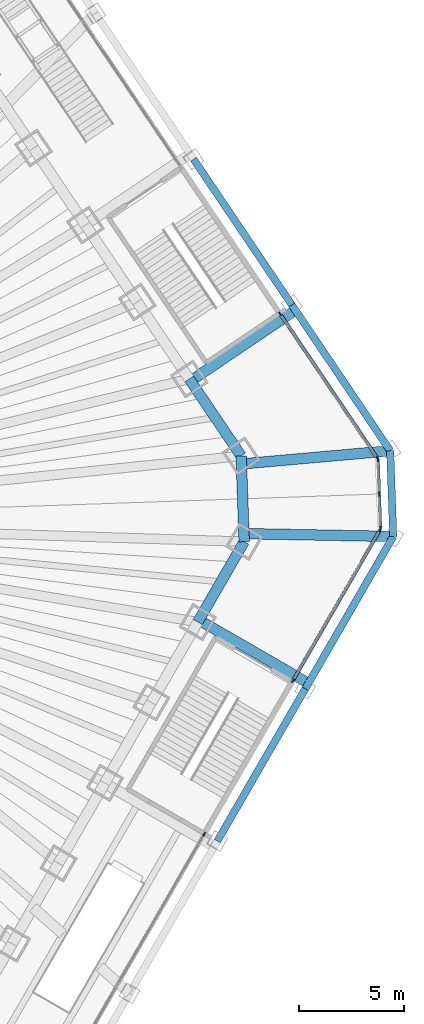
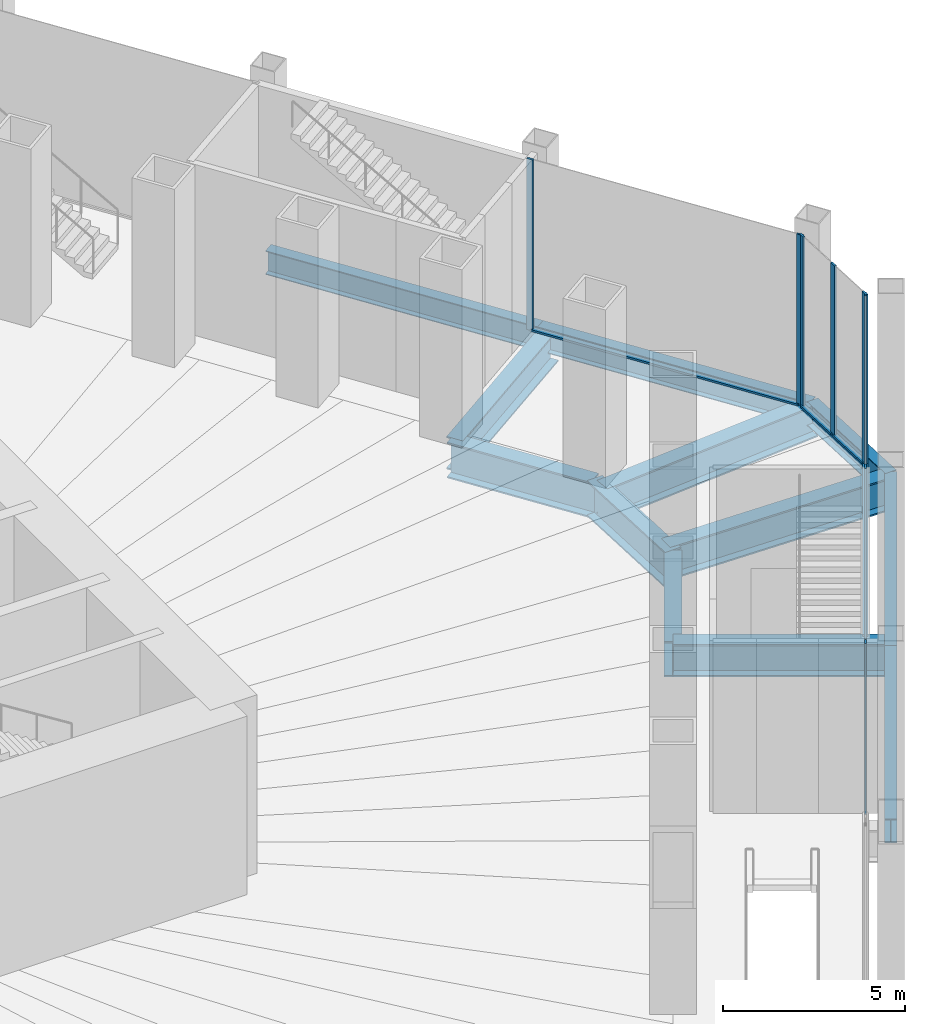
# One storey, part 13 of 23: 12 beams, 12 members, 4 elements without a shape of their own.
"""IFC4 building model written with IfcOpenShell, lengths in metres."""

import ifcopenshell
import ifcopenshell.guid

model = None  # the IFC model being written
_history = None  # IfcOwnerHistory: only IFC2X3 demands one
_inside = {}  # id of a spatial element -> (the spatial element, [elements in it])
_under = {}  # id of a project, library or spatial element -> (it, [spatial elements below it])
_declared = {}  # id of a project -> (the project, [libraries it declares])
_typed = {}  # id of a type object -> (the type object, [elements of that type])
_made_of = {}  # id of a material, layer set ... -> (it, [elements and type objects made of it])


def new_model(schema):
    """Start an empty IFC model of exactly this schema.

    Asked for "IFC4X3", IfcOpenShell would pick the latest addendum, in which some entities
    have other attributes; the version numbers below select the first issue.
    IFC2X3 requires an IfcOwnerHistory on every rooted entity: one is made here for all.
    """
    global model, _history
    if schema == "IFC4X3":
        model = ifcopenshell.file(schema_version=(4, 3, 0, 0))
    else:
        model = ifcopenshell.file(schema=schema)
    _inside.clear()
    _under.clear()
    _declared.clear()
    _typed.clear()
    _made_of.clear()
    _history = None
    if model.schema == "IFC2X3":
        org = make("IfcOrganization", Name="unknown")
        user = make(
            "IfcPersonAndOrganization",
            ThePerson=make("IfcPerson", FamilyName="unknown"),
            TheOrganization=org,
        )
        app = make(
            "IfcApplication",
            ApplicationDeveloper=org,
            Version="unknown",
            ApplicationFullName="unknown",
            ApplicationIdentifier="unknown",
        )
        _history = make(
            "IfcOwnerHistory",
            OwningUser=user,
            OwningApplication=app,
            ChangeAction="ADDED",
            CreationDate=0,
        )
    return model


def make(cls, **values):
    """One entity of the class cls with the attributes given. An attribute that is None is left unset."""
    return model.create_entity(
        cls, **{name: value for name, value in values.items() if value is not None}
    )


def rooted(cls, **values):
    """An entity with a GlobalId (a new one), such as an element, a storey or a relation."""
    return make(cls, GlobalId=ifcopenshell.guid.new(), OwnerHistory=_history, **values)


def si_unit(unit_type, name, prefix=None):
    """IfcSIUnit, for example si_unit("LENGTHUNIT", "METRE", prefix="MILLI")."""
    return make("IfcSIUnit", UnitType=unit_type, Prefix=prefix, Name=name)


def assignment(units):
    """IfcUnitAssignment: the units of a project."""
    return None if units is None else make("IfcUnitAssignment", Units=units)


def point(xyz):
    """IfcCartesianPoint."""
    return None if xyz is None else make("IfcCartesianPoint", Coordinates=xyz)


def direction(xyz):
    """IfcDirection."""
    return None if xyz is None else make("IfcDirection", DirectionRatios=xyz)


def frame(location, z_axis=None, x_axis=None):
    """IfcAxis2Placement3D, a coordinate frame: its origin and axes. An axis left out is left unset."""
    return make(
        "IfcAxis2Placement3D",
        Location=point(location),
        Axis=direction(z_axis),
        RefDirection=direction(x_axis),
    )


def frame_2d(location, x_axis=None):
    """IfcAxis2Placement2D, a coordinate frame in the plane: its origin and x axis."""
    return make(
        "IfcAxis2Placement2D", Location=point(location), RefDirection=direction(x_axis)
    )


def origin():
    """The frame at (0, 0, 0) with its axes left unset."""
    return frame((0.0, 0.0, 0.0))


def origin_2d():
    """The frame at (0, 0) in the plane with its x axis left unset."""
    return frame_2d((0.0, 0.0))


def place(relative_to, where):
    """IfcLocalPlacement: puts the frame where relative to a parent placement (None: the world)."""
    return make(
        "IfcLocalPlacement", PlacementRelTo=relative_to, RelativePlacement=where
    )


def context(
    kind, dimensions, precision=None, world=None, true_north=None, identifier=None
):
    """IfcGeometricRepresentationContext, for example the 3D "Model" context."""
    return make(
        "IfcGeometricRepresentationContext",
        ContextIdentifier=identifier,
        ContextType=kind,
        CoordinateSpaceDimension=dimensions,
        Precision=precision,
        WorldCoordinateSystem=world,
        TrueNorth=true_north,
    )


def subcontext(parent, identifier, kind, view, scale=None):
    """IfcGeometricRepresentationSubContext, for example "Body" below "Model"."""
    return make(
        "IfcGeometricRepresentationSubContext",
        ContextIdentifier=identifier,
        ContextType=kind,
        ParentContext=parent,
        TargetScale=scale,
        TargetView=view,
    )


def project(units=None, contexts=None):
    """IfcProject with its units and contexts."""
    return rooted(
        "IfcProject",
        Name="project",
        RepresentationContexts=contexts,
        UnitsInContext=assignment(units),
    )


def spatial(cls, under=None, at=None, **own):
    """A site, building, storey or space (cls), placed at a placement, below another one or the project."""
    s = rooted(cls, ObjectPlacement=at, **own)
    if under is not None:
        _under.setdefault(under.id(), (under, []))[1].append(s)
    return s


def profile(cls, at=None, kind="AREA", **sizes):
    """A parametric profile (cls). Its sizes go by their IFC names, for example OverallWidth=200.0."""
    return make(cls, ProfileType=kind, Position=at, **sizes)


def rectangle(**sizes):
    """IfcRectangleProfileDef."""
    return profile("IfcRectangleProfileDef", **sizes)


def i_section(**sizes):
    """IfcIShapeProfileDef."""
    return profile("IfcIShapeProfileDef", **sizes)


def extrude(swept, where, along, depth):
    """IfcExtrudedAreaSolid: the profile swept, set in the frame where, extruded along a direction by depth."""
    return make(
        "IfcExtrudedAreaSolid",
        SweptArea=swept,
        Position=where,
        ExtrudedDirection=direction(along),
        Depth=depth,
    )


def shape(context_of_items, identifier, shape_type, items):
    """IfcShapeRepresentation: the items that make up one representation, for example the "Body"."""
    return make(
        "IfcShapeRepresentation",
        ContextOfItems=context_of_items,
        RepresentationIdentifier=identifier,
        RepresentationType=shape_type,
        Items=items,
    )


def material(Name=None, Category=None):
    """IfcMaterial."""
    return make("IfcMaterial", Name=Name, Category=Category)


def material_profile(
    of_material, cross_section, Name=None, Category=None, Priority=None
):
    """IfcMaterialProfile: a cross section and its material."""
    return make(
        "IfcMaterialProfile",
        Name=Name,
        Material=of_material,
        Profile=cross_section,
        Priority=Priority,
        Category=Category,
    )


def profile_set(profiles, Name=None, composite=None):
    """IfcMaterialProfileSet."""
    return make(
        "IfcMaterialProfileSet",
        Name=Name,
        MaterialProfiles=profiles,
        CompositeProfile=composite,
    )


def made_of(thing, what):
    """Note that an element or type object is made of a material, layer set ...; save() writes the relation."""
    if what is not None:
        _made_of.setdefault(what.id(), (what, []))[1].append(thing)
    return thing


def type_object(cls, material=None, **own):
    """A type object (cls), such as IfcWallType, which elements share."""
    return made_of(rooted(cls, **own), material)


def element(
    cls,
    number,
    at=None,
    inside=None,
    cuts=None,
    type_object=None,
    material=None,
    context=None,
    identifier="Body",
    shape_type=None,
    held_by="IfcProductDefinitionShape",
    body=None,
    shapes=None,
    **own,
):
    """One element of the class cls, such as IfcWall. Its Tag is "e" and its number.

    at: its placement. inside: the storey or other place that contains it. cuts: it is an
    opening in that element (IfcRelVoidsElement). A single representation is given by context,
    identifier, shape_type and body (its items); several are given by shapes. held_by: the class
    of the entity that holds the representations. save() writes the other relations.
    """
    e = rooted(cls, Tag="e%d" % number, ObjectPlacement=at, **own)
    if body is not None:
        shapes = [shape(context, identifier, shape_type, body)]
    if shapes is not None:
        e.Representation = make(held_by, Representations=shapes)
    if inside is not None:
        _inside.setdefault(inside.id(), (inside, []))[1].append(e)
    if cuts is not None:
        rooted(
            "IfcRelVoidsElement", RelatingBuildingElement=cuts, RelatedOpeningElement=e
        )
    if type_object is not None:
        _typed.setdefault(type_object.id(), (type_object, []))[1].append(e)
    return made_of(e, material)


def aggregate(whole, parts):
    """IfcRelAggregates: a whole, such as a stair, and the parts it consists of."""
    return rooted("IfcRelAggregates", RelatingObject=whole, RelatedObjects=parts)


def save(model, path):
    """Write the relations noted so far, then the file.

    IfcRelAggregates (storeys below a building ...), IfcRelContainedInSpatialStructure (elements
    in a storey), IfcRelDefinesByType, IfcRelAssociatesMaterial and IfcRelDeclares: one each for
    every whole, place, type object, material and project.
    """
    for whole, parts in _under.values():
        aggregate(whole, parts)
    for where, things in _inside.values():
        rooted(
            "IfcRelContainedInSpatialStructure",
            RelatedElements=things,
            RelatingStructure=where,
        )
    for kind, things in _typed.values():
        rooted("IfcRelDefinesByType", RelatedObjects=things, RelatingType=kind)
    for what, things in _made_of.values():
        rooted("IfcRelAssociatesMaterial", RelatedObjects=things, RelatingMaterial=what)
    for by, libraries in _declared.values():
        rooted("IfcRelDeclares", RelatingContext=by, RelatedDefinitions=libraries)
    model.write(path)


model = new_model("IFC4")

# Units and contexts
model_context = context("Model", 3, precision=1e-05, world=origin(), true_north=direction((0.0, 1.0)))
body_context = subcontext(model_context, "Body", "Model", "MODEL_VIEW")
ifc_project = project(units=[si_unit("LENGTHUNIT", "METRE"), si_unit("AREAUNIT", "SQUARE_METRE"), si_unit("VOLUMEUNIT", "CUBIC_METRE"), si_unit("PLANEANGLEUNIT", "RADIAN"), si_unit("MASSUNIT", "GRAM", prefix="KILO")], contexts=[model_context])

# Site, building, storey
site_placement = place(None, origin())
site = spatial("IfcSite", under=ifc_project, at=site_placement, CompositionType="ELEMENT")
building_placement = place(site_placement, origin())
building = spatial("IfcBuilding", under=site, at=building_placement, Name="Qingtian Harvest Tower", CompositionType="ELEMENT")
storey_placement = place(building_placement, frame((0.0, 0.0, 6.0)))
storey = spatial("IfcBuildingStorey", under=building, at=storey_placement, Name="L01", CompositionType="ELEMENT", Elevation=6.0)

# Beams
ifc_material_1 = material(Name="Steel SM570MC", Category="steel")
ifc_material_profile_1 = material_profile(ifc_material_1, i_section(OverallWidth=0.5, OverallDepth=1.10009765625, WebThickness=0.02490234375, FlangeThickness=0.050048828125, at=origin_2d()), Name="H1100x500x25x50")
ifc_profile_set_1 = profile_set([ifc_material_profile_1], Name="Steel SM570MC")
beam_type_1 = type_object("IfcBeamType", Name="Floor beam FB6 H1100x500x25x50", PredefinedType="BEAM", material=ifc_profile_set_1)
beam_1_placement = place(storey_placement, frame((33.05029296875, 10.0146484375, -0.800048828125), z_axis=(-0.829039666934, -0.559189798414, 0.0), x_axis=(0.559189798414, -0.829039666934, 0.0)))
element("IfcBeam", 1, at=beam_1_placement, inside=storey, type_object=beam_type_1, Name="Podium floor beam FB6 NE3", PredefinedType="BEAM", context=body_context, shape_type="SweptSolid", body=[
    extrude(i_section(OverallWidth=0.5, OverallDepth=1.10009765625, WebThickness=0.02490234375, FlangeThickness=0.050048828125, at=origin_2d()), origin(), (0.0, 0.0, 1.0), 6.000244140625),
])
for number, where, z_axis, x_axis, name in (
    (2, (37.547119140625, 3.34765625, -0.800048828125), (-0.996049850269, -0.088795809463, 0.0), (0.088795809463, -0.996049850269, 0.0), "Podium floor beam FB6 NE4"),
    (3, (37.689208984375, -0.720458984375, -0.800048828125), (-0.999817134486, 0.019123221203, 0.0), (-0.019123221203, -0.999817134486, 0.0), "Podium floor beam FB6 SE0"),
):
    element("IfcBeam", number, at=place(storey_placement, frame(where, z_axis=z_axis, x_axis=x_axis)), inside=storey, type_object=beam_type_1, Name=name, PredefinedType="BEAM", context=body_context, shape_type="SweptSolid", body=[
        extrude(i_section(OverallWidth=0.5, OverallDepth=1.10009765625, WebThickness=0.02490234375, FlangeThickness=0.050048828125, at=origin_2d()), origin(), (0.0, 0.0, 1.0), 7.08544921875),
    ])
beam_2_placement = place(storey_placement, frame((33.668212890625, -7.684814453125, -0.800048828125), z_axis=(-0.866020924479, 0.500007758305, 0.0), x_axis=(-0.500007758305, -0.866020924479, 0.0)))
element("IfcBeam", 4, at=beam_2_placement, inside=storey, type_object=beam_type_1, Name="Podium floor beam FB6 SE1", PredefinedType="BEAM", context=body_context, shape_type="SweptSolid", body=[
    extrude(i_section(OverallWidth=0.5, OverallDepth=1.10009765625, WebThickness=0.02490234375, FlangeThickness=0.050048828125, at=origin_2d()), origin(), (0.0, 0.0, 1.0), 6.0),
])

# Curtain wall, members
ifc_material_2 = material(Name="Bronze-anodised aluminium curtain wall", Category="aluminium")
curtain_wall_type = type_object("IfcCurtainWallType", Name="Curtain wall CW1 podium shopfront", PredefinedType="USERDEFINED", material=ifc_material_2)
curtain_wall_1_placement = place(storey_placement, origin())
curtain_wall_1 = element("IfcCurtainWall", 5, at=curtain_wall_1_placement, inside=storey, type_object=curtain_wall_type, Name="Curtain wall CW1 L01 NE3", ObjectType="RECESSED CURTAIN WALL", PredefinedType="USERDEFINED")
ifc_material_3 = material(Name="Bronze-anodised aluminium mullion", Category="aluminium")
ifc_material_profile_2 = material_profile(ifc_material_3, rectangle(XDim=0.06494140625, YDim=0.199951171875, at=origin_2d()), Name="AL 65x200")
ifc_profile_set_2 = profile_set([ifc_material_profile_2], Name="Bronze-anodised aluminium mullion")
member_type_1 = type_object("IfcMemberType", Name="Mullion CWM 65x200", PredefinedType="MULLION", material=ifc_profile_set_2)
member_1_placement = place(storey_placement, frame((32.3203125, 9.844970703125, 0.0), z_axis=(0.0, 0.0, 1.0), x_axis=(0.829037572555, 0.559192903471, 0.0)))
member_1 = element("IfcMember", 6, at=member_1_placement, type_object=member_type_1, Name="CW1 mullion 1", PredefinedType="MULLION", context=body_context, shape_type="SweptSolid", body=[
    extrude(rectangle(XDim=0.06494140625, YDim=0.199951171875, at=origin_2d()), origin(), (0.0, 0.0, 1.0), 5.75),
])
member_2_placement = place(storey_placement, frame((36.94873046875, 2.983154296875, 0.0), z_axis=(0.0, 0.0, 1.0), x_axis=(0.829037572555, 0.559192903471, 0.0)))
member_2 = element("IfcMember", 7, at=member_2_placement, type_object=member_type_1, Name="CW1 mullion 2", PredefinedType="MULLION", context=body_context, shape_type="SweptSolid", body=[
    extrude(rectangle(XDim=0.06494140625, YDim=0.199951171875, at=origin_2d()), origin(), (0.0, 0.0, 1.0), 5.75),
])

curtain_wall_2_placement = place(storey_placement, origin())
curtain_wall_2 = element("IfcCurtainWall", 8, at=curtain_wall_2_placement, inside=storey, type_object=curtain_wall_type, Name="Curtain wall CW1 L01 NEC", ObjectType="RECESSED CURTAIN WALL", PredefinedType="USERDEFINED")
member_3_placement = place(storey_placement, frame((36.968017578125, 2.923828125, 0.0), z_axis=(0.0, 0.0, 1.0), x_axis=(0.999390827019, 0.034899496703, 0.0)))
member_3 = element("IfcMember", 9, at=member_3_placement, type_object=member_type_1, Name="CW1 mullion 1", PredefinedType="MULLION", context=body_context, shape_type="SweptSolid", body=[
    extrude(rectangle(XDim=0.06494140625, YDim=0.199951171875, at=origin_2d()), origin(), (0.0, 0.0, 1.0), 5.75),
])
member_4_placement = place(storey_placement, frame((37.02490234375, 1.29296875, 0.0), z_axis=(0.0, 0.0, 1.0), x_axis=(0.999390827019, 0.034899496703, 0.0)))
member_4 = element("IfcMember", 10, at=member_4_placement, type_object=member_type_1, Name="CW1 mullion 2", PredefinedType="MULLION", context=body_context, shape_type="SweptSolid", body=[
    extrude(rectangle(XDim=0.06494140625, YDim=0.199951171875, at=origin_2d()), origin(), (0.0, 0.0, 1.0), 5.75),
])
member_5_placement = place(storey_placement, frame((37.081787109375, -0.337890625, 0.0), z_axis=(0.0, 0.0, 1.0), x_axis=(0.999390827019, 0.034899496703, 0.0)))
member_5 = element("IfcMember", 11, at=member_5_placement, type_object=member_type_1, Name="CW1 mullion 3", PredefinedType="MULLION", context=body_context, shape_type="SweptSolid", body=[
    extrude(rectangle(XDim=0.06494140625, YDim=0.199951171875, at=origin_2d()), origin(), (0.0, 0.0, 1.0), 5.75),
])

curtain_wall_3_placement = place(storey_placement, origin())
curtain_wall_3 = element("IfcCurtainWall", 12, at=curtain_wall_3_placement, inside=storey, type_object=curtain_wall_type, Name="Curtain wall CW1 L01 SE0", ObjectType="RECESSED CURTAIN WALL", PredefinedType="USERDEFINED")
member_6_placement = place(storey_placement, frame((37.066650390625, -0.398681640625, 0.0), z_axis=(0.0, 0.0, 1.0), x_axis=(0.866025403784, -0.5, 0.0)))
member_6 = element("IfcMember", 13, at=member_6_placement, type_object=member_type_1, Name="CW1 mullion 1", PredefinedType="MULLION", context=body_context, shape_type="SweptSolid", body=[
    extrude(rectangle(XDim=0.06494140625, YDim=0.199951171875, at=origin_2d()), origin(), (0.0, 0.0, 1.0), 5.75),
])
member_7_placement = place(storey_placement, frame((32.92822265625, -7.56640625, 0.0), z_axis=(0.0, 0.0, 1.0), x_axis=(0.866025403784, -0.5, 0.0)))
member_7 = element("IfcMember", 14, at=member_7_placement, type_object=member_type_1, Name="CW1 mullion 2", PredefinedType="MULLION", context=body_context, shape_type="SweptSolid", body=[
    extrude(rectangle(XDim=0.06494140625, YDim=0.199951171875, at=origin_2d()), origin(), (0.0, 0.0, 1.0), 5.75),
])

# Curtain wall, member
curtain_wall_4_placement = place(storey_placement, origin())
curtain_wall_4 = element("IfcCurtainWall", 15, at=curtain_wall_4_placement, inside=storey, type_object=curtain_wall_type, Name="Curtain wall CW1 L01 SE2-3", ObjectType="RECESSED CURTAIN WALL", PredefinedType="USERDEFINED")
member_8_placement = place(storey_placement, frame((28.724853515625, -14.846923828125, 0.0), z_axis=(0.0, 0.0, 1.0), x_axis=(0.866025403784, -0.5, 0.0)))
member_8 = element("IfcMember", 16, at=member_8_placement, type_object=member_type_1, Name="CW1 mullion 1", PredefinedType="MULLION", context=body_context, shape_type="SweptSolid", body=[
    extrude(rectangle(XDim=0.06494140625, YDim=0.199951171875, at=origin_2d()), origin(), (0.0, 0.0, 1.0), 5.75),
])
aggregate(curtain_wall_4, [member_8])

# Beams
ifc_material_4 = material(Name="Steel SN490B", Category="steel")
ifc_material_profile_3 = material_profile(ifc_material_4, i_section(OverallWidth=0.35009765625, OverallDepth=0.800048828125, WebThickness=0.01611328125, FlangeThickness=0.028076171875, at=origin_2d()), Name="H800x350x16x28")
ifc_profile_set_3 = profile_set([ifc_material_profile_3], Name="Steel SN490B")
beam_type_2 = type_object("IfcBeamType", Name="Podium beam PB1 H800x350x16x28", PredefinedType="BEAM", material=ifc_profile_set_3)
for number, where, z_axis, x_axis, name in (
    (17, (28.2177734375, 17.178955078125, -0.64990234375), (0.559210439086, -0.829025744363, 0.0), (0.829025744363, 0.559210439086, 0.0), "Podium edge beam PB1 NE2"),
    (18, (32.882568359375, 10.263427734375, -0.64990234375), (0.559176755628, -0.829048464183, 0.0), (0.829048464183, 0.559176755628, 0.0), "Podium edge beam PB1 NE3"),
):
    element("IfcBeam", number, at=place(storey_placement, frame(where, z_axis=z_axis, x_axis=x_axis)), inside=storey, type_object=beam_type_2, Name=name, PredefinedType="BEAM", context=body_context, shape_type="SweptSolid", body=[
        extrude(i_section(OverallWidth=0.35009765625, OverallDepth=0.800048828125, WebThickness=0.01611328125, FlangeThickness=0.028076171875, at=origin_2d()), origin(), (0.0, 0.0, 1.0), 8.341796875),
    ])
beam_3_placement = place(storey_placement, frame((37.547119140625, 3.34765625, -0.64990234375), z_axis=(0.03490639867, -0.999390585973, 0.0), x_axis=(0.999390585973, 0.03490639867, 0.0)))
element("IfcBeam", 19, at=beam_3_placement, inside=storey, type_object=beam_type_2, Name="Podium edge beam PB1 NE4", PredefinedType="BEAM", context=body_context, shape_type="SweptSolid", body=[
    extrude(i_section(OverallWidth=0.35009765625, OverallDepth=0.800048828125, WebThickness=0.01611328125, FlangeThickness=0.028076171875, at=origin_2d()), origin(), (0.0, 0.0, 1.0), 4.070556640625),
])
for number, where, z_axis, x_axis, name in (
    (20, (37.689208984375, -0.720458984375, -0.64990234375), (-0.500004511595, -0.866022798998, 0.0), (0.866022798998, -0.500004511595, 0.0), "Podium edge beam PB1 SE0"),
    (21, (33.518310546875, -7.944580078125, -0.64990234375), (-0.500004511595, -0.866022798998, 0.0), (0.866022798998, -0.500004511595, 0.0), "Podium edge beam PB1 SE1"),
):
    element("IfcBeam", number, at=place(storey_placement, frame(where, z_axis=z_axis, x_axis=x_axis)), inside=storey, type_object=beam_type_2, Name=name, PredefinedType="BEAM", context=body_context, shape_type="SweptSolid", body=[
        extrude(i_section(OverallWidth=0.35009765625, OverallDepth=0.800048828125, WebThickness=0.01611328125, FlangeThickness=0.028076171875, at=origin_2d()), origin(), (0.0, 0.0, 1.0), 8.341796875),
    ])
ifc_material_5 = material(Name="Steel SM570MC", Category="steel")
ifc_material_profile_4 = material_profile(ifc_material_5, i_section(OverallWidth=0.5, OverallDepth=1.199951171875, WebThickness=0.02490234375, FlangeThickness=0.050048828125, at=origin_2d()), Name="H1200x500x25x50")
ifc_profile_set_4 = profile_set([ifc_material_profile_4], Name="Steel SM570MC")
beam_type_3 = type_object("IfcBeamType", Name="Spandrel beam SB1 H1200x500x25x50", PredefinedType="SPANDREL", material=ifc_profile_set_4)
beam_4_placement = place(storey_placement, frame((28.013427734375, 6.75244140625, -0.85009765625), z_axis=(0.559169135272, -0.829053603912, 0.0), x_axis=(0.829053603912, 0.559169135272, 0.0)))
element("IfcBeam", 22, at=beam_4_placement, inside=storey, type_object=beam_type_3, Name="Spandrel SB1 NE5", PredefinedType="SPANDREL", context=body_context, shape_type="SweptSolid", body=[
    extrude(i_section(OverallWidth=0.5, OverallDepth=1.199951171875, WebThickness=0.02490234375, FlangeThickness=0.050048828125, at=origin_2d()), origin(), (0.0, 0.0, 1.0), 4.404541015625),
])
beam_5_placement = place(storey_placement, frame((30.476318359375, 3.100830078125, -0.85009765625), z_axis=(0.03490639867, -0.999390585973, 0.0), x_axis=(0.999390585973, 0.03490639867, 0.0)))
element("IfcBeam", 23, at=beam_5_placement, inside=storey, type_object=beam_type_3, Name="Spandrel SB1 NEC", PredefinedType="SPANDREL", context=body_context, shape_type="SweptSolid", body=[
    extrude(i_section(OverallWidth=0.5, OverallDepth=1.199951171875, WebThickness=0.02490234375, FlangeThickness=0.050048828125, at=origin_2d()), origin(), (0.0, 0.0, 1.0), 4.070556640625),
])
beam_6_placement = place(storey_placement, frame((30.618408203125, -0.96728515625, -0.85009765625), z_axis=(-0.50001992892, -0.866013897511, 0.0), x_axis=(0.866013897511, -0.50001992892, 0.0)))
element("IfcBeam", 24, at=beam_6_placement, inside=storey, type_object=beam_type_3, Name="Spandrel SB1 SE0", PredefinedType="SPANDREL", context=body_context, shape_type="SweptSolid", body=[
    extrude(i_section(OverallWidth=0.5, OverallDepth=1.199951171875, WebThickness=0.02490234375, FlangeThickness=0.050048828125, at=origin_2d()), origin(), (0.0, 0.0, 1.0), 4.404541015625),
])

# Member
ifc_material_6 = material(Name="Bronze-anodised aluminium transom", Category="aluminium")
ifc_material_profile_5 = material_profile(ifc_material_6, rectangle(XDim=0.14990234375, YDim=0.06494140625, at=origin_2d()), Name="AL 65x150")
ifc_profile_set_5 = profile_set([ifc_material_profile_5], Name="Bronze-anodised aluminium transom")
member_type_2 = type_object("IfcMemberType", Name="Transom CWT 65x150", PredefinedType="USERDEFINED", material=ifc_profile_set_5)
member_9_placement = place(storey_placement, frame((32.33837890625, 9.818115234375, 0.032470703125), z_axis=(0.559199646774, -0.8290330241, 0.0), x_axis=(0.8290330241, 0.559199646774, 0.0)))
member_9 = element("IfcMember", 25, at=member_9_placement, type_object=member_type_2, Name="CW1 transom 1.1", ObjectType="TRANSOM", PredefinedType="USERDEFINED", context=body_context, shape_type="SweptSolid", body=[
    extrude(rectangle(XDim=0.14990234375, YDim=0.06494140625, at=origin_2d()), origin(), (0.0, 0.0, 1.0), 8.2119140625),
])

aggregate(curtain_wall_1, [member_1, member_2, member_9])

member_10_placement = place(storey_placement, frame((36.968994140625, 2.891357421875, 0.032470703125), z_axis=(0.034902326647, -0.999390728191, 0.0), x_axis=(0.999390728191, 0.034902326647, 0.0)))
member_10 = element("IfcMember", 26, at=member_10_placement, type_object=member_type_2, Name="CW1 transom 1.1", ObjectType="TRANSOM", PredefinedType="USERDEFINED", context=body_context, shape_type="SweptSolid", body=[
    extrude(rectangle(XDim=0.14990234375, YDim=0.06494140625, at=origin_2d()), origin(), (0.0, 0.0, 1.0), 1.56689453125),
])

member_11_placement = place(storey_placement, frame((37.026123046875, 1.260498046875, 0.032470703125), z_axis=(0.034902326647, -0.999390728191, 0.0), x_axis=(0.999390728191, 0.034902326647, 0.0)))
member_11 = element("IfcMember", 27, at=member_11_placement, type_object=member_type_2, Name="CW1 transom 2.1", ObjectType="TRANSOM", PredefinedType="USERDEFINED", context=body_context, shape_type="SweptSolid", body=[
    extrude(rectangle(XDim=0.14990234375, YDim=0.06494140625, at=origin_2d()), origin(), (0.0, 0.0, 1.0), 1.56689453125),
])

aggregate(curtain_wall_2, [member_3, member_4, member_5, member_10, member_11])

member_12_placement = place(storey_placement, frame((37.050537109375, -0.4267578125, 0.032470703125), z_axis=(-0.500008116609, -0.866020717607, 0.0), x_axis=(0.866020717607, -0.500008116609, 0.0)))
member_12 = element("IfcMember", 28, at=member_12_placement, type_object=member_type_2, Name="CW1 transom 1.1", ObjectType="TRANSOM", PredefinedType="USERDEFINED", context=body_context, shape_type="SweptSolid", body=[
    extrude(rectangle(XDim=0.14990234375, YDim=0.06494140625, at=origin_2d()), origin(), (0.0, 0.0, 1.0), 8.211669921875),
])

aggregate(curtain_wall_3, [member_6, member_7, member_12])

save(model, "model.ifc")
